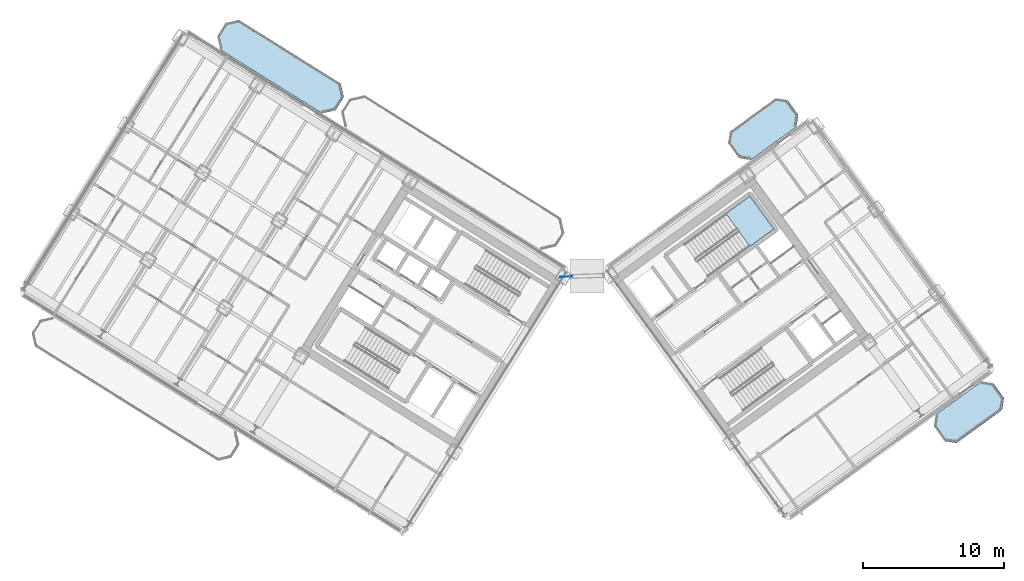
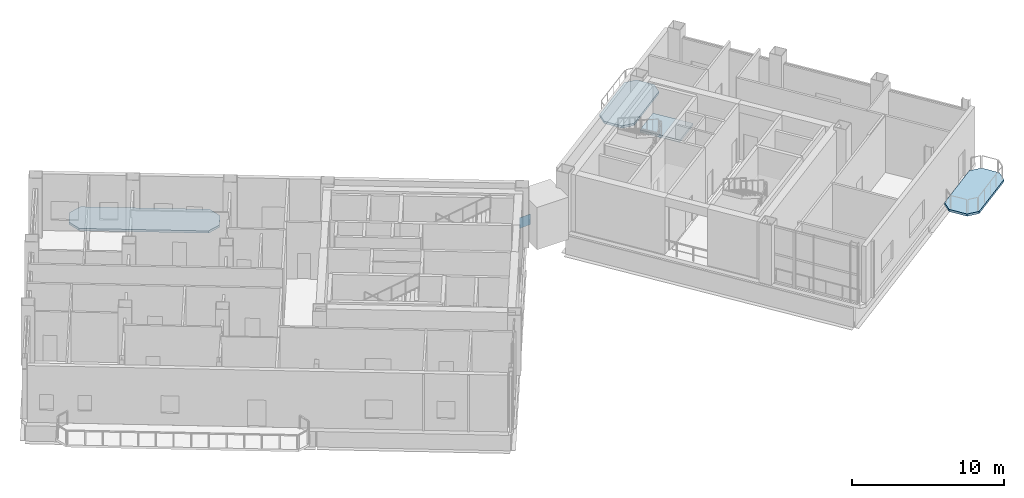
# One storey, part 10 of 22: 4 slabs, 1 plate, 1 element without a shape of its own.
"""IFC4 building model written with IfcOpenShell, lengths in metres."""

from ifc_helpers import new_model, si_unit, direction, frame, origin, origin_2d, place, context, subcontext, project, spatial, polyline, rectangle, outline, extrude, source, transform, mapped, material, layer, layer_set, type_object, element, aggregate, save


model = new_model("IFC4")

# Units and contexts
model_context = context("Model", 3, precision=1e-05, world=origin(), true_north=direction((0.0, 1.0)))
body_context = subcontext(model_context, "Body", "Model", "MODEL_VIEW")
ifc_project = project(units=[si_unit("LENGTHUNIT", "METRE"), si_unit("AREAUNIT", "SQUARE_METRE"), si_unit("VOLUMEUNIT", "CUBIC_METRE"), si_unit("PLANEANGLEUNIT", "RADIAN"), si_unit("MASSUNIT", "GRAM", prefix="KILO")], contexts=[model_context])

# Site, building, storey
site_placement = place(None, origin())
site = spatial("IfcSite", under=ifc_project, at=site_placement, CompositionType="ELEMENT")
building_placement = place(site_placement, origin())
building = spatial("IfcBuilding", under=site, at=building_placement, Name="Tlacorven Tower", CompositionType="ELEMENT")
storey_placement = place(building_placement, frame((0.0, 0.0, 127.800048828125)))
storey = spatial("IfcBuildingStorey", under=building, at=storey_placement, Name="L32", CompositionType="ELEMENT", Elevation=127.800048828125)

# Slabs
ifc_material_1 = material(Name="Precast concrete C45/55", Category="concrete")
ifc_layer_1 = layer(ifc_material_1, 0.179931640625)
ifc_layer_set_1 = layer_set([ifc_layer_1], Name="Precast concrete C45/55")
slab_type_1 = type_object("IfcSlabType", Name="SL-BAL-180", PredefinedType="USERDEFINED", material=ifc_layer_set_1)
slab_1_placement = place(storey_placement, frame((0.0, 0.0, -0.179931640625)))
element("IfcSlab", 1, at=slab_1_placement, inside=storey, type_object=slab_type_1, Name="L32 West Wing Balcony Ribbon IN", ObjectType="BALCONY SLAB", PredefinedType="USERDEFINED", context=body_context, shape_type="SweptSolid", body=[
    extrude(outline(polyline([(24.98974609375, 38.18115234375), (17.781494140625, 42.685546875), (16.81689453125, 42.462890625), (16.236572265625, 41.5341796875), (16.459228515625, 40.569580078125), (23.667724609375, 36.065185546875), (24.63232421875, 36.2880859375), (25.21240234375, 37.216552734375), (24.98974609375, 38.18115234375)])), origin(), (0.0, 0.0, 1.0), 0.179931640625),
])
slab_2_placement = place(storey_placement, frame((0.0, 0.0, -0.179931640625)))
element("IfcSlab", 2, at=slab_2_placement, inside=storey, type_object=slab_type_1, Name="L32 East Wing Balcony Ribbon OUT", ObjectType="BALCONY SLAB", PredefinedType="USERDEFINED", context=body_context, shape_type="SweptSolid", body=[
    extrude(outline(polyline([(68.669921875, 12.678955078125), (71.906005859375, 15.0302734375), (72.03857421875, 15.8681640625), (71.27734375, 16.916015625), (70.439453125, 17.048583984375), (67.203369140625, 14.697509765625), (67.070556640625, 13.859375), (67.831787109375, 12.811767578125), (68.669921875, 12.678955078125)])), origin(), (0.0, 0.0, 1.0), 0.179931640625),
])
slab_3_placement = place(storey_placement, frame((0.0, 0.0, -0.179931640625)))
element("IfcSlab", 3, at=slab_3_placement, inside=storey, type_object=slab_type_1, Name="L32 East Wing Balcony Ribbon IN", ObjectType="BALCONY SLAB", PredefinedType="USERDEFINED", context=body_context, shape_type="SweptSolid", body=[
    extrude(outline(polyline([(54.078125, 32.762939453125), (57.314208984375, 35.114013671875), (57.44677734375, 35.9521484375), (56.685791015625, 36.999755859375), (55.84765625, 37.132568359375), (52.611572265625, 34.78125), (52.478759765625, 33.943359375), (53.239990234375, 32.8955078125), (54.078125, 32.762939453125)])), origin(), (0.0, 0.0, 1.0), 0.179931640625),
])

# Stair, slab
ifc_material_2 = material(Name="Concrete C40/50", Category="concrete")
stair_type = type_object("IfcStairType", Name="ST-CORE-DLG", PredefinedType="HALF_TURN_STAIR", material=ifc_material_2)
stair_placement = place(storey_placement, origin())
stair = element("IfcStair", 4, at=stair_placement, inside=storey, type_object=stair_type, Name="L32 Protected Exit Stair East 1", PredefinedType="HALF_TURN_STAIR")
ifc_layer_2 = layer(ifc_material_2, 0.199951171875)
ifc_layer_set_2 = layer_set([ifc_layer_2], Name="Concrete C40/50")
slab_type_2 = type_object("IfcSlabType", Name="SL-LND-200", PredefinedType="LANDING", material=ifc_layer_set_2)
slab_4_placement = place(storey_placement, frame((0.0, 0.0, 2.199951171875)))
slab_4 = element("IfcSlab", 5, at=slab_4_placement, type_object=slab_type_2, Name="ST-E1 landing 1", PredefinedType="LANDING", context=body_context, shape_type="SweptSolid", body=[
    extrude(outline(polyline([(54.00390625, 26.621337890625), (55.7109375, 27.861572265625), (54.01806640625, 30.19140625), (52.31103515625, 28.951171875), (54.00390625, 26.621337890625)])), origin(), (0.0, 0.0, 1.0), 0.199951171875),
])
aggregate(stair, [slab_4])

# Plate
ifc_material_3 = material(Name="Steel S355J2", Category="steel")
ifc_layer_3 = layer(ifc_material_3, 0.02587890625)
ifc_layer_set_3 = layer_set([ifc_layer_3], Name="Steel S355J2")
plate_type = type_object("IfcPlateType", Name="PL-NODE-TN1", PredefinedType="SHEET", material=ifc_layer_set_3)
shared_shape = source(origin(), body_context, "Body", "SweptSolid", [
    extrude(rectangle(XDim=0.85009765625, YDim=0.02587890625, at=origin_2d()), origin(), (0.0, 0.0, 1.0), 0.85009765625),
])
plate_placement = place(storey_placement, frame((40.997802734375, 24.475830078125, 1.324951171875), z_axis=(0.0, 0.0, 1.0), x_axis=(0.999390832067, 0.034899352155, 0.0)))
element("IfcPlate", 6, at=plate_placement, inside=storey, type_object=plate_type, Name="L32 structural node gusset plate TRB-L32-RING", PredefinedType="SHEET", context=body_context, shape_type="MappedRepresentation", body=[
    mapped(shared_shape, transform((0.0, 0.0, 0.0), scale=1.0)),
])

save(model, "model.ifc")
